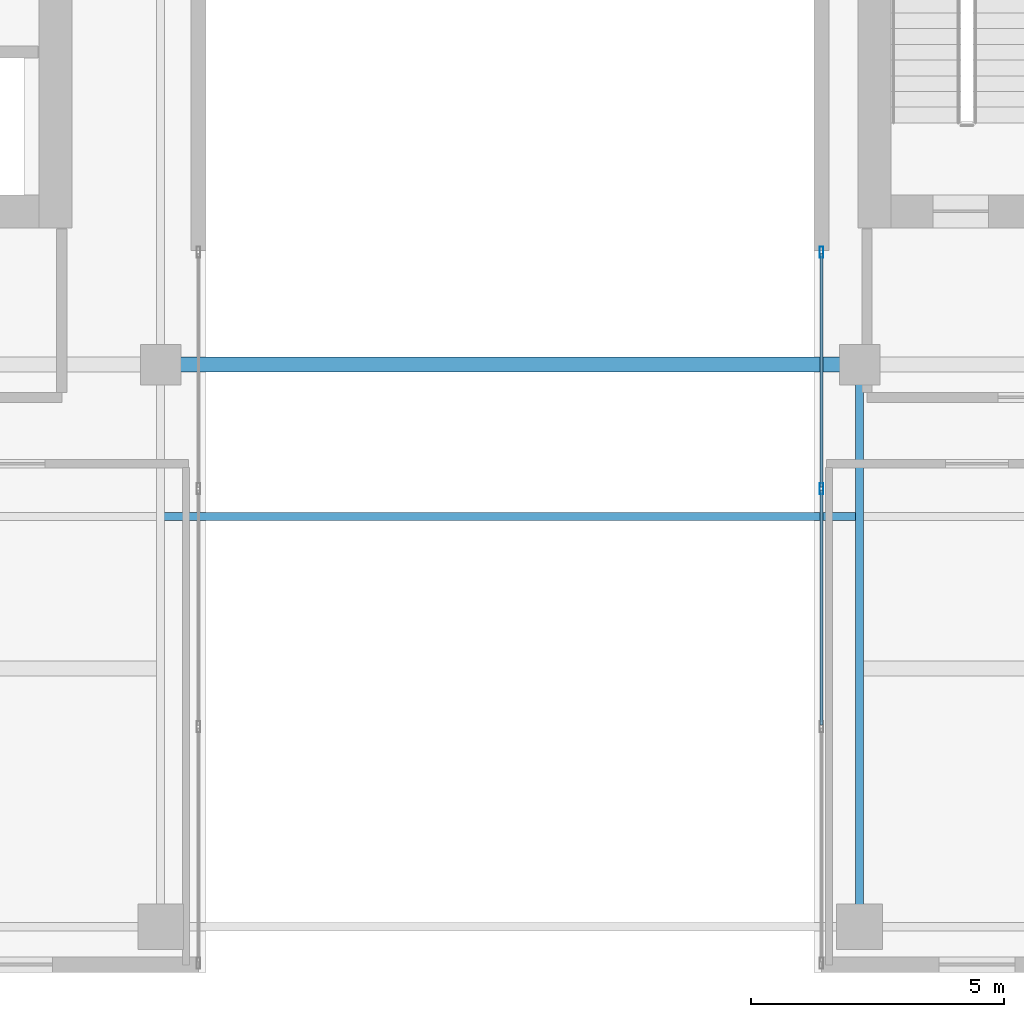
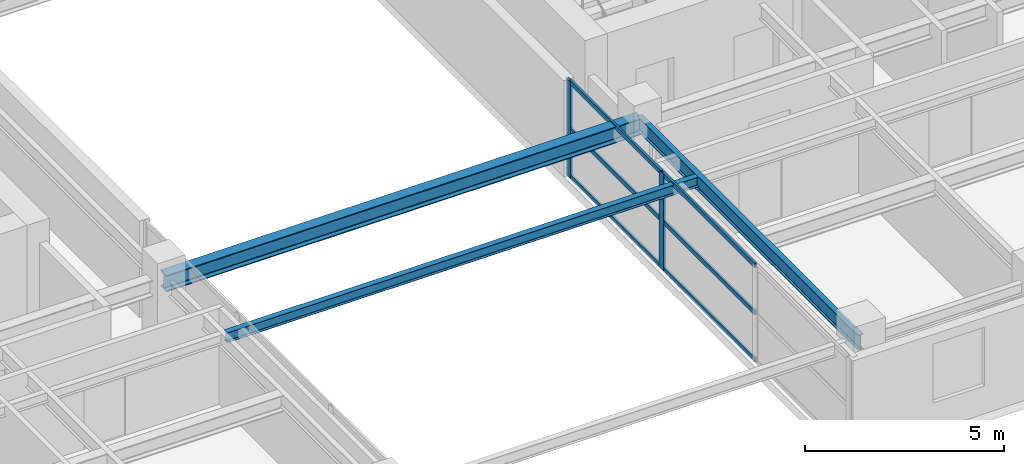
# One storey, part 5 of 21: 8 members, 3 beams, 1 element without a shape of its own.
"""IFC4 building model written with IfcOpenShell, lengths in metres."""

from ifc_helpers import new_model, si_unit, direction, frame, origin, origin_2d, place, context, subcontext, project, spatial, hollow_rectangle, i_section, extrude, source, transform, mapped, material, layer, layer_set, material_profile, profile_set, type_object, element, aggregate, save


model = new_model("IFC4")

# Units and contexts
model_context = context("Model", 3, precision=1e-05, world=origin(), true_north=direction((0.0, 1.0)))
body_context = subcontext(model_context, "Body", "Model", "MODEL_VIEW")
ifc_project = project(units=[si_unit("LENGTHUNIT", "METRE"), si_unit("AREAUNIT", "SQUARE_METRE"), si_unit("VOLUMEUNIT", "CUBIC_METRE"), si_unit("PLANEANGLEUNIT", "RADIAN"), si_unit("MASSUNIT", "GRAM", prefix="KILO")], contexts=[model_context])

# Site, building, storey
site_placement = place(None, origin())
site = spatial("IfcSite", under=ifc_project, at=site_placement, CompositionType="ELEMENT")
building_placement = place(site_placement, origin())
building = spatial("IfcBuilding", under=site, at=building_placement, Name="Khoralis Quay Care Tower", CompositionType="ELEMENT")
storey_placement = place(building_placement, frame((0.0, 0.0, 213.300048828125)))
storey = spatial("IfcBuildingStorey", under=building, at=storey_placement, Name="L56", CompositionType="ELEMENT", Elevation=213.300048828125)

# Beams
ifc_material_1 = material(Name="Steel S355", Category="steel")
ifc_material_profile_1 = material_profile(ifc_material_1, i_section(OverallWidth=0.154052734375, OverallDepth=0.458984375, WebThickness=0.009033203125, FlangeThickness=0.015380859375, FilletRadius=0.014892578125, at=origin_2d()), Name="Steel S355")
ifc_profile_set_1 = profile_set([ifc_material_profile_1], Name="Steel S355")
beam_type_1 = type_object("IfcBeamType", Name="BM-W460X68", PredefinedType="BEAM", material=ifc_profile_set_1)
shared_shape_1 = source(origin(), body_context, "Body", "SweptSolid", [
    extrude(i_section(OverallWidth=0.154052734375, OverallDepth=0.458984375, WebThickness=0.009033203125, FlangeThickness=0.015380859375, FilletRadius=0.014892578125, at=origin_2d()), origin(), (0.0, 0.0, 1.0), 11.10009765625),
])
beam_1_placement = place(storey_placement, frame((30.89990234375, 0.89990234375, 2.720458984375), z_axis=(0.0, 1.0, 0.0), x_axis=(-1.0, 0.0, 0.0)))
element("IfcBeam", 1, at=beam_1_placement, inside=storey, type_object=beam_type_1, Name="BM-TGYS-L56-309", PredefinedType="BEAM", context=body_context, shape_type="MappedRepresentation", body=[
    mapped(shared_shape_1, transform((0.0, 0.0, 0.0), scale=1.0)),
])
ifc_material_profile_2 = material_profile(ifc_material_1, i_section(OverallWidth=0.300048828125, OverallDepth=0.5, WebThickness=0.014404296875, FlangeThickness=0.028076171875, FilletRadius=0.027099609375, at=origin_2d()), Name="Steel S355")
ifc_profile_set_2 = profile_set([ifc_material_profile_2], Name="Steel S355")
beam_type_2 = type_object("IfcBeamType", Name="BM-HEB500", PredefinedType="BEAM", material=ifc_profile_set_2)
shared_shape_2 = source(origin(), body_context, "Body", "SweptSolid", [
    extrude(i_section(OverallWidth=0.300048828125, OverallDepth=0.5, WebThickness=0.014404296875, FlangeThickness=0.028076171875, FilletRadius=0.027099609375, at=origin_2d()), origin(), (0.0, 0.0, 1.0), 13.7998046875),
])
beam_2_placement = place(storey_placement, frame((17.10009765625, 12.0, 2.699951171875), z_axis=(1.0, 0.0, 0.0), x_axis=(0.0, 1.0, 0.0)))
element("IfcBeam", 2, at=beam_2_placement, inside=storey, type_object=beam_type_2, Name="BM-TGCC-L56-120", PredefinedType="BEAM", context=body_context, shape_type="MappedRepresentation", body=[
    mapped(shared_shape_2, transform((0.0, 0.0, 0.0), scale=1.0)),
])
ifc_material_profile_3 = material_profile(ifc_material_1, i_section(OverallWidth=0.1650390625, OverallDepth=0.31005859375, WebThickness=0.005859375, FlangeThickness=0.009765625, FilletRadius=0.011962890625, at=origin_2d()), Name="Steel S355")
ifc_profile_set_3 = profile_set([ifc_material_profile_3], Name="Steel S355")
beam_type_3 = type_object("IfcBeamType", Name="BM-W310X39", PredefinedType="JOIST", material=ifc_profile_set_3)
shared_shape_3 = source(origin(), body_context, "Body", "SweptSolid", [
    extrude(i_section(OverallWidth=0.1650390625, OverallDepth=0.31005859375, WebThickness=0.005859375, FlangeThickness=0.009765625, FilletRadius=0.011962890625, at=origin_2d()), origin(), (0.0, 0.0, 1.0), 13.669921875),
])
beam_3_placement = place(storey_placement, frame((17.1650390625, 9.0, 2.794921875), z_axis=(1.0, 0.0, 0.0), x_axis=(0.0, 1.0, 0.0)))
element("IfcBeam", 3, at=beam_3_placement, inside=storey, type_object=beam_type_3, Name="BM-TJS-L56-23", PredefinedType="JOIST", context=body_context, shape_type="MappedRepresentation", body=[
    mapped(shared_shape_3, transform((0.0, 0.0, 0.0), scale=1.0)),
])

# Curtain wall, members
ifc_material_2 = material(Name="Pale anodised aluminium", Category="aluminium")
ifc_layer = layer(ifc_material_2, 0.18994140625)
ifc_layer_set = layer_set([ifc_layer], Name="Pale anodised aluminium")
curtain_wall_type = type_object("IfcCurtainWallType", Name="CW-SYS-PORTAL", PredefinedType="NOTDEFINED", material=ifc_layer_set)
curtain_wall_placement = place(storey_placement, origin())
curtain_wall = element("IfcCurtainWall", 4, at=curtain_wall_placement, inside=storey, type_object=curtain_wall_type, Name="L56 Unitised Curtain Wall CW-VP-L56-P2-S", PredefinedType="NOTDEFINED")
ifc_material_profile_4 = material_profile(ifc_material_2, hollow_rectangle(XDim=0.06005859375, YDim=0.139892578125, WallThickness=0.00390625, at=origin_2d()), Name="Pale anodised aluminium")
ifc_profile_set_4 = profile_set([ifc_material_profile_4], Name="Pale anodised aluminium")
member_type_1 = type_object("IfcMemberType", Name="CW-TRN-140", PredefinedType="USERDEFINED", material=ifc_profile_set_4)
shared_shape_4 = source(origin(), body_context, "Body", "SweptSolid", [
    extrude(hollow_rectangle(XDim=0.06005859375, YDim=0.139892578125, WallThickness=0.00390625, at=origin_2d()), origin(), (0.0, 0.0, 1.0), 4.64013671875),
])
member_1_placement = place(storey_placement, frame((30.14990234375, 4.8798828125, 0.030029296875), z_axis=(0.0, 1.0, 0.0), x_axis=(-1.0, 0.0, 0.0)))
member_1 = element("IfcMember", 5, at=member_1_placement, type_object=member_type_1, Name="CW4 transom 2.1", ObjectType="TRANSOM", PredefinedType="USERDEFINED", context=body_context, shape_type="MappedRepresentation", body=[
    mapped(shared_shape_4, transform((0.0, 0.0, 0.0), scale=1.0)),
])
member_2_placement = place(storey_placement, frame((30.14990234375, 4.8798828125, 1.474853515625), z_axis=(0.0, 1.0, 0.0), x_axis=(-1.0, 0.0, 0.0)))
member_2 = element("IfcMember", 6, at=member_2_placement, type_object=member_type_1, Name="CW4 transom 2.2", ObjectType="TRANSOM", PredefinedType="USERDEFINED", context=body_context, shape_type="MappedRepresentation", body=[
    mapped(shared_shape_4, transform((0.0, 0.0, 0.0), scale=1.0)),
])
member_3_placement = place(storey_placement, frame((30.14990234375, 4.8798828125, 2.919921875), z_axis=(0.0, 1.0, 0.0), x_axis=(-1.0, 0.0, 0.0)))
member_3 = element("IfcMember", 7, at=member_3_placement, type_object=member_type_1, Name="CW4 transom 2.3", ObjectType="TRANSOM", PredefinedType="USERDEFINED", context=body_context, shape_type="MappedRepresentation", body=[
    mapped(shared_shape_4, transform((0.0, 0.0, 0.0), scale=1.0)),
])
shared_shape_5 = source(origin(), body_context, "Body", "SweptSolid", [
    extrude(hollow_rectangle(XDim=0.06005859375, YDim=0.139892578125, WallThickness=0.00390625, at=origin_2d()), origin(), (0.0, 0.0, 1.0), 4.60986328125),
])
member_4_placement = place(storey_placement, frame((30.14990234375, 9.580078125, 0.030029296875), z_axis=(0.0, 1.0, 0.0), x_axis=(-1.0, 0.0, 0.0)))
member_4 = element("IfcMember", 8, at=member_4_placement, type_object=member_type_1, Name="CW4 transom 3.1", ObjectType="TRANSOM", PredefinedType="USERDEFINED", context=body_context, shape_type="MappedRepresentation", body=[
    mapped(shared_shape_5, transform((0.0, 0.0, 0.0), scale=1.0)),
])
member_5_placement = place(storey_placement, frame((30.14990234375, 9.580078125, 1.474853515625), z_axis=(0.0, 1.0, 0.0), x_axis=(-1.0, 0.0, 0.0)))
member_5 = element("IfcMember", 9, at=member_5_placement, type_object=member_type_1, Name="CW4 transom 3.2", ObjectType="TRANSOM", PredefinedType="USERDEFINED", context=body_context, shape_type="MappedRepresentation", body=[
    mapped(shared_shape_5, transform((0.0, 0.0, 0.0), scale=1.0)),
])
member_6_placement = place(storey_placement, frame((30.14990234375, 9.580078125, 2.919921875), z_axis=(0.0, 1.0, 0.0), x_axis=(-1.0, 0.0, 0.0)))
member_6 = element("IfcMember", 10, at=member_6_placement, type_object=member_type_1, Name="CW4 transom 3.3", ObjectType="TRANSOM", PredefinedType="USERDEFINED", context=body_context, shape_type="MappedRepresentation", body=[
    mapped(shared_shape_5, transform((0.0, 0.0, 0.0), scale=1.0)),
])
ifc_material_profile_5 = material_profile(ifc_material_2, hollow_rectangle(XDim=0.074951171875, YDim=0.219970703125, WallThickness=0.00390625, at=origin_2d()), Name="Pale anodised aluminium")
ifc_profile_set_5 = profile_set([ifc_material_profile_5], Name="Pale anodised aluminium")
member_type_2 = type_object("IfcMemberType", Name="CW-MUL-220", PredefinedType="MULLION", material=ifc_profile_set_5)
shared_shape_6 = source(origin(), body_context, "Body", "SweptSolid", [
    extrude(hollow_rectangle(XDim=0.074951171875, YDim=0.219970703125, WallThickness=0.00390625, at=origin_2d()), origin(), (0.0, 0.0, 1.0), 2.949951171875),
])
member_7_placement = place(storey_placement, frame((30.14990234375, 9.550048828125, 0.0), z_axis=(0.0, 0.0, 1.0), x_axis=(-1.0, 0.0, 0.0)))
member_7 = element("IfcMember", 11, at=member_7_placement, type_object=member_type_2, Name="CW4 mullion 3", PredefinedType="MULLION", context=body_context, shape_type="MappedRepresentation", body=[
    mapped(shared_shape_6, transform((0.0, 0.0, 0.0), scale=1.0)),
])
member_8_placement = place(storey_placement, frame((30.14990234375, 14.219970703125, 0.0), z_axis=(0.0, 0.0, 1.0), x_axis=(-1.0, 0.0, 0.0)))
member_8 = element("IfcMember", 12, at=member_8_placement, type_object=member_type_2, Name="CW4 mullion 4", PredefinedType="MULLION", context=body_context, shape_type="MappedRepresentation", body=[
    mapped(shared_shape_6, transform((0.0, 0.0, 0.0), scale=1.0)),
])
aggregate(curtain_wall, [member_7, member_8, member_1, member_2, member_3, member_4, member_5, member_6])

save(model, "model.ifc")
